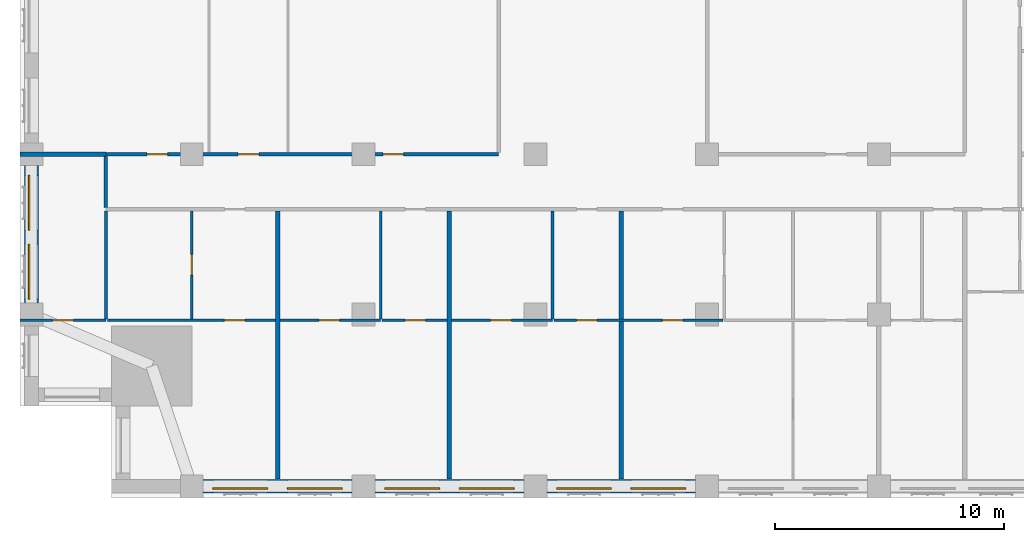
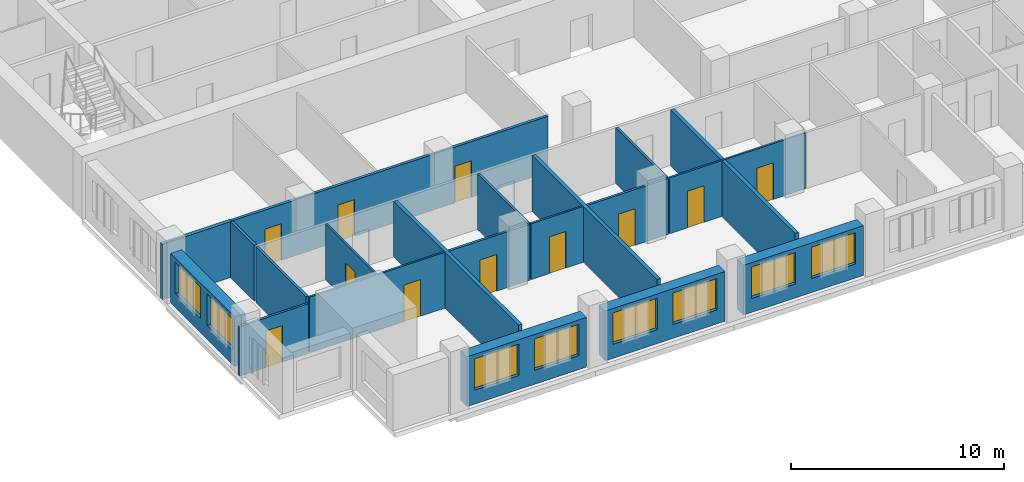
# One storey, part 4 of 14: 20 walls, 11 doors, 8 windows, 19 openings.
"""IFC4 building model written with IfcOpenShell, lengths in metres."""

from ifc_helpers import new_model, si_unit, direction, frame, frame_2d, origin, place, context, subcontext, project, spatial, rectangle, extrude, material, layer, layer_set, type_object, element, fill, save


model = new_model("IFC4")

# Units and contexts
model_context = context("Model", 3, precision=1e-05, world=origin(), true_north=direction((0.0, 1.0)))
body_context = subcontext(model_context, "Body", "Model", "MODEL_VIEW")
ifc_project = project(units=[si_unit("LENGTHUNIT", "METRE"), si_unit("AREAUNIT", "SQUARE_METRE"), si_unit("VOLUMEUNIT", "CUBIC_METRE"), si_unit("PLANEANGLEUNIT", "RADIAN"), si_unit("MASSUNIT", "GRAM", prefix="KILO")], contexts=[model_context])

# Site, building, storey
site_placement = place(None, origin())
site = spatial("IfcSite", under=ifc_project, at=site_placement, CompositionType="ELEMENT")
building_placement = place(site_placement, origin())
building = spatial("IfcBuilding", under=site, at=building_placement, Name="Tamorin Gate", CompositionType="ELEMENT")
storey_placement = place(building_placement, frame((0.0, 0.0, 162.60009765625)))
storey = spatial("IfcBuildingStorey", under=building, at=storey_placement, Name="L40", CompositionType="ELEMENT", Elevation=162.60009765625)

# Wall, openings, windows
ifc_material_1 = material(Name="Precast concrete C40/50", Category="concrete")
ifc_layer_1 = layer(ifc_material_1, 0.60009765625)
ifc_layer_set_1 = layer_set([ifc_layer_1], Name="Precast concrete C40/50")
wall_type_1 = type_object("IfcWallType", Name="Board-marked concrete facade panel 600", PredefinedType="SOLIDWALL", material=ifc_layer_set_1)
wall_1_placement = place(storey_placement, frame((38.0, 38.0, 0.0), z_axis=(0.0, 0.0, 1.0), x_axis=(1.0, 0.0, 0.0)))
wall_1 = element("IfcWall", 1, at=wall_1_placement, inside=storey, type_object=wall_type_1, Name="Facade panel", PredefinedType="SOLIDWALL", context=body_context, shape_type="SweptSolid", body=[
    extrude(rectangle(XDim=6.5, YDim=0.60009765625, at=frame_2d((3.25, 0.0))), origin(), (0.0, 0.0, 1.0), 2.849853515625),
])
opening_1_placement = place(wall_1_placement, frame((0.425048828125, 0.0, 0.800048828125)))
opening_1 = element("IfcOpeningElement", 2, at=opening_1_placement, cuts=wall_1, Name="Opening WN1", PredefinedType="OPENING", context=body_context, shape_type="SweptSolid", body=[
    extrude(rectangle(XDim=2.39990234375, YDim=1.800048828125, at=frame_2d((1.199951171875, 0.89990234375))), frame((0.0, 0.31005859375, 0.0), z_axis=(0.0, -1.0, 0.0), x_axis=(1.0, 0.0, 0.0)), (0.0, 0.0, 1.0), 0.6201171875),
])
opening_2_placement = place(wall_1_placement, frame((3.675048828125, 0.0, 0.800048828125)))
opening_2 = element("IfcOpeningElement", 3, at=opening_2_placement, cuts=wall_1, Name="Opening WN1", PredefinedType="OPENING", context=body_context, shape_type="SweptSolid", body=[
    extrude(rectangle(XDim=2.39990234375, YDim=1.800048828125, at=frame_2d((1.199951171875, 0.89990234375))), frame((0.0, 0.31005859375, 0.0), z_axis=(0.0, -1.0, 0.0), x_axis=(1.0, 0.0, 0.0)), (0.0, 0.0, 1.0), 0.6201171875),
])
ifc_material_2 = material(Name="Clear glass in aluminium frame", Category="aluminium")
window_type = type_object("IfcWindowType", Name="Deep-set window 2400x1800", PartitioningType="SINGLE_PANEL", PredefinedType="WINDOW", material=ifc_material_2)
window_1_placement = place(opening_1_placement, origin())
window_1 = element("IfcWindow", 4, at=window_1_placement, inside=storey, type_object=window_type, Name="Deep-set window", OverallHeight=1.800048828125, OverallWidth=2.39990234375, PartitioningType="SINGLE_PANEL", PredefinedType="WINDOW", context=body_context, shape_type="SweptSolid", body=[
    extrude(rectangle(XDim=2.39990234375, YDim=1.800048828125, at=frame_2d((1.199951171875, 0.89990234375))), frame((0.0, -0.070068359375, 0.0), z_axis=(0.0, -1.0, 0.0), x_axis=(1.0, 0.0, 0.0)), (0.0, 0.0, 1.0), 0.06005859375),
])
fill(opening_1, window_1)
window_2_placement = place(opening_2_placement, origin())
window_2 = element("IfcWindow", 5, at=window_2_placement, inside=storey, type_object=window_type, Name="Deep-set window", OverallHeight=1.800048828125, OverallWidth=2.39990234375, PartitioningType="SINGLE_PANEL", PredefinedType="WINDOW", context=body_context, shape_type="SweptSolid", body=[
    extrude(rectangle(XDim=2.39990234375, YDim=1.800048828125, at=frame_2d((1.199951171875, 0.89990234375))), frame((0.0, -0.070068359375, 0.0), z_axis=(0.0, -1.0, 0.0), x_axis=(1.0, 0.0, 0.0)), (0.0, 0.0, 1.0), 0.06005859375),
])
fill(opening_2, window_2)

wall_2_placement = place(storey_placement, frame((45.5, 38.0, 0.0), z_axis=(0.0, 0.0, 1.0), x_axis=(1.0, 0.0, 0.0)))
wall_2 = element("IfcWall", 6, at=wall_2_placement, inside=storey, type_object=wall_type_1, Name="Facade panel", PredefinedType="SOLIDWALL", context=body_context, shape_type="SweptSolid", body=[
    extrude(rectangle(XDim=6.5, YDim=0.60009765625, at=frame_2d((3.25, 0.0))), origin(), (0.0, 0.0, 1.0), 2.849853515625),
])
opening_3_placement = place(wall_2_placement, frame((0.425048828125, 0.0, 0.800048828125)))
opening_3 = element("IfcOpeningElement", 7, at=opening_3_placement, cuts=wall_2, Name="Opening WN1", PredefinedType="OPENING", context=body_context, shape_type="SweptSolid", body=[
    extrude(rectangle(XDim=2.39990234375, YDim=1.800048828125, at=frame_2d((1.199951171875, 0.89990234375))), frame((0.0, 0.31005859375, 0.0), z_axis=(0.0, -1.0, 0.0), x_axis=(1.0, 0.0, 0.0)), (0.0, 0.0, 1.0), 0.6201171875),
])
opening_4_placement = place(wall_2_placement, frame((3.675048828125, 0.0, 0.800048828125)))
opening_4 = element("IfcOpeningElement", 8, at=opening_4_placement, cuts=wall_2, Name="Opening WN1", PredefinedType="OPENING", context=body_context, shape_type="SweptSolid", body=[
    extrude(rectangle(XDim=2.39990234375, YDim=1.800048828125, at=frame_2d((1.199951171875, 0.89990234375))), frame((0.0, 0.31005859375, 0.0), z_axis=(0.0, -1.0, 0.0), x_axis=(1.0, 0.0, 0.0)), (0.0, 0.0, 1.0), 0.6201171875),
])
window_3_placement = place(opening_3_placement, origin())
window_3 = element("IfcWindow", 9, at=window_3_placement, inside=storey, type_object=window_type, Name="Deep-set window", OverallHeight=1.800048828125, OverallWidth=2.39990234375, PartitioningType="SINGLE_PANEL", PredefinedType="WINDOW", context=body_context, shape_type="SweptSolid", body=[
    extrude(rectangle(XDim=2.39990234375, YDim=1.800048828125, at=frame_2d((1.199951171875, 0.89990234375))), frame((0.0, -0.070068359375, 0.0), z_axis=(0.0, -1.0, 0.0), x_axis=(1.0, 0.0, 0.0)), (0.0, 0.0, 1.0), 0.06005859375),
])
fill(opening_3, window_3)
window_4_placement = place(opening_4_placement, origin())
window_4 = element("IfcWindow", 10, at=window_4_placement, inside=storey, type_object=window_type, Name="Deep-set window", OverallHeight=1.800048828125, OverallWidth=2.39990234375, PartitioningType="SINGLE_PANEL", PredefinedType="WINDOW", context=body_context, shape_type="SweptSolid", body=[
    extrude(rectangle(XDim=2.39990234375, YDim=1.800048828125, at=frame_2d((1.199951171875, 0.89990234375))), frame((0.0, -0.070068359375, 0.0), z_axis=(0.0, -1.0, 0.0), x_axis=(1.0, 0.0, 0.0)), (0.0, 0.0, 1.0), 0.06005859375),
])
fill(opening_4, window_4)

wall_3_placement = place(storey_placement, frame((53.0, 38.0, 0.0), z_axis=(0.0, 0.0, 1.0), x_axis=(1.0, 0.0, 0.0)))
wall_3 = element("IfcWall", 11, at=wall_3_placement, inside=storey, type_object=wall_type_1, Name="Facade panel", PredefinedType="SOLIDWALL", context=body_context, shape_type="SweptSolid", body=[
    extrude(rectangle(XDim=6.5, YDim=0.60009765625, at=frame_2d((3.25, 0.0))), origin(), (0.0, 0.0, 1.0), 2.849853515625),
])
opening_5_placement = place(wall_3_placement, frame((0.425048828125, 0.0, 0.800048828125)))
opening_5 = element("IfcOpeningElement", 12, at=opening_5_placement, cuts=wall_3, Name="Opening WN1", PredefinedType="OPENING", context=body_context, shape_type="SweptSolid", body=[
    extrude(rectangle(XDim=2.39990234375, YDim=1.800048828125, at=frame_2d((1.199951171875, 0.89990234375))), frame((0.0, 0.31005859375, 0.0), z_axis=(0.0, -1.0, 0.0), x_axis=(1.0, 0.0, 0.0)), (0.0, 0.0, 1.0), 0.6201171875),
])
opening_6_placement = place(wall_3_placement, frame((3.675048828125, 0.0, 0.800048828125)))
opening_6 = element("IfcOpeningElement", 13, at=opening_6_placement, cuts=wall_3, Name="Opening WN1", PredefinedType="OPENING", context=body_context, shape_type="SweptSolid", body=[
    extrude(rectangle(XDim=2.39990234375, YDim=1.800048828125, at=frame_2d((1.199951171875, 0.89990234375))), frame((0.0, 0.31005859375, 0.0), z_axis=(0.0, -1.0, 0.0), x_axis=(1.0, 0.0, 0.0)), (0.0, 0.0, 1.0), 0.6201171875),
])
window_5_placement = place(opening_5_placement, origin())
window_5 = element("IfcWindow", 14, at=window_5_placement, inside=storey, type_object=window_type, Name="Deep-set window", OverallHeight=1.800048828125, OverallWidth=2.39990234375, PartitioningType="SINGLE_PANEL", PredefinedType="WINDOW", context=body_context, shape_type="SweptSolid", body=[
    extrude(rectangle(XDim=2.39990234375, YDim=1.800048828125, at=frame_2d((1.199951171875, 0.89990234375))), frame((0.0, -0.070068359375, 0.0), z_axis=(0.0, -1.0, 0.0), x_axis=(1.0, 0.0, 0.0)), (0.0, 0.0, 1.0), 0.06005859375),
])
fill(opening_5, window_5)
window_6_placement = place(opening_6_placement, origin())
window_6 = element("IfcWindow", 15, at=window_6_placement, inside=storey, type_object=window_type, Name="Deep-set window", OverallHeight=1.800048828125, OverallWidth=2.39990234375, PartitioningType="SINGLE_PANEL", PredefinedType="WINDOW", context=body_context, shape_type="SweptSolid", body=[
    extrude(rectangle(XDim=2.39990234375, YDim=1.800048828125, at=frame_2d((1.199951171875, 0.89990234375))), frame((0.0, -0.070068359375, 0.0), z_axis=(0.0, -1.0, 0.0), x_axis=(1.0, 0.0, 0.0)), (0.0, 0.0, 1.0), 0.06005859375),
])
fill(opening_6, window_6)

wall_4_placement = place(storey_placement, frame((30.5, 52.0, 0.0), z_axis=(0.0, 0.0, 1.0), x_axis=(0.0, -1.0, 0.0)))
wall_4 = element("IfcWall", 16, at=wall_4_placement, inside=storey, type_object=wall_type_1, Name="Facade panel", PredefinedType="SOLIDWALL", context=body_context, shape_type="SweptSolid", body=[
    extrude(rectangle(XDim=6.0, YDim=0.60009765625, at=frame_2d((3.0, 0.0))), origin(), (0.0, 0.0, 1.0), 2.849853515625),
])
opening_7_placement = place(wall_4_placement, frame((3.425048828125, 0.0, 0.800048828125)))
opening_7 = element("IfcOpeningElement", 17, at=opening_7_placement, cuts=wall_4, Name="Opening WN1", PredefinedType="OPENING", context=body_context, shape_type="SweptSolid", body=[
    extrude(rectangle(XDim=2.39990234375, YDim=1.800048828125, at=frame_2d((1.199951171875, 0.89990234375))), frame((0.0, 0.31005859375, 0.0), z_axis=(0.0, -1.0, 0.0), x_axis=(1.0, 0.0, 0.0)), (0.0, 0.0, 1.0), 0.6201171875),
])
opening_8_placement = place(wall_4_placement, frame((0.425048828125, 0.0, 0.800048828125)))
opening_8 = element("IfcOpeningElement", 18, at=opening_8_placement, cuts=wall_4, Name="Opening WN1", PredefinedType="OPENING", context=body_context, shape_type="SweptSolid", body=[
    extrude(rectangle(XDim=2.39990234375, YDim=1.800048828125, at=frame_2d((1.199951171875, 0.89990234375))), frame((0.0, 0.31005859375, 0.0), z_axis=(0.0, -1.0, 0.0), x_axis=(1.0, 0.0, 0.0)), (0.0, 0.0, 1.0), 0.6201171875),
])
window_7_placement = place(opening_7_placement, origin())
window_7 = element("IfcWindow", 19, at=window_7_placement, inside=storey, type_object=window_type, Name="Deep-set window", OverallHeight=1.800048828125, OverallWidth=2.39990234375, PartitioningType="SINGLE_PANEL", PredefinedType="WINDOW", context=body_context, shape_type="SweptSolid", body=[
    extrude(rectangle(XDim=2.39990234375, YDim=1.800048828125, at=frame_2d((1.199951171875, 0.89990234375))), frame((0.0, -0.070068359375, 0.0), z_axis=(0.0, -1.0, 0.0), x_axis=(1.0, 0.0, 0.0)), (0.0, 0.0, 1.0), 0.06005859375),
])
fill(opening_7, window_7)
window_8_placement = place(opening_8_placement, origin())
window_8 = element("IfcWindow", 20, at=window_8_placement, inside=storey, type_object=window_type, Name="Deep-set window", OverallHeight=1.800048828125, OverallWidth=2.39990234375, PartitioningType="SINGLE_PANEL", PredefinedType="WINDOW", context=body_context, shape_type="SweptSolid", body=[
    extrude(rectangle(XDim=2.39990234375, YDim=1.800048828125, at=frame_2d((1.199951171875, 0.89990234375))), frame((0.0, -0.070068359375, 0.0), z_axis=(0.0, -1.0, 0.0), x_axis=(1.0, 0.0, 0.0)), (0.0, 0.0, 1.0), 0.06005859375),
])
fill(opening_8, window_8)

# Wall, openings, doors
ifc_material_3 = material(Name="Gypsum board partition")
ifc_layer_2 = layer(ifc_material_3, 0.14990234375)
ifc_layer_set_2 = layer_set([ifc_layer_2], Name="Corridor wall 150")
wall_type_2 = type_object("IfcWallType", Name="Corridor wall 150", PredefinedType="PARTITIONING", material=ifc_layer_set_2)
wall_5_placement = place(storey_placement, frame((33.75, 52.5, 0.0), z_axis=(0.0, 0.0, 1.0), x_axis=(1.0, 0.0, 0.0)))
wall_5 = element("IfcWall", 21, at=wall_5_placement, inside=storey, type_object=wall_type_2, Name="Corridor wall 150", PredefinedType="PARTITIONING", context=body_context, shape_type="SweptSolid", body=[
    extrude(rectangle(XDim=17.14990234375, YDim=0.14990234375, at=frame_2d((8.574951171875, 0.0))), origin(), (0.0, 0.0, 1.0), 3.199951171875),
])
opening_9_placement = place(wall_5_placement, frame((1.800048828125, 0.0, 0.0)))
opening_9 = element("IfcOpeningElement", 22, at=opening_9_placement, cuts=wall_5, Name="Opening DS2066", PredefinedType="OPENING", context=body_context, shape_type="SweptSolid", body=[
    extrude(rectangle(XDim=0.89990234375, YDim=2.10009765625, at=frame_2d((0.449951171875, 1.050048828125))), frame((0.0, 0.0849609375, 0.0), z_axis=(0.0, -1.0, 0.0), x_axis=(1.0, 0.0, 0.0)), (0.0, 0.0, 1.0), 0.169921875),
])
opening_10_placement = place(wall_5_placement, frame((5.77490234375, 0.0, 0.0)))
opening_10 = element("IfcOpeningElement", 23, at=opening_10_placement, cuts=wall_5, Name="Opening DS2067", PredefinedType="OPENING", context=body_context, shape_type="SweptSolid", body=[
    extrude(rectangle(XDim=0.89990234375, YDim=2.10009765625, at=frame_2d((0.449951171875, 1.050048828125))), frame((0.0, 0.0849609375, 0.0), z_axis=(0.0, -1.0, 0.0), x_axis=(1.0, 0.0, 0.0)), (0.0, 0.0, 1.0), 0.169921875),
])
opening_11_placement = place(wall_5_placement, frame((12.10009765625, 0.0, 0.0)))
opening_11 = element("IfcOpeningElement", 24, at=opening_11_placement, cuts=wall_5, Name="Opening DS2068", PredefinedType="OPENING", context=body_context, shape_type="SweptSolid", body=[
    extrude(rectangle(XDim=0.89990234375, YDim=2.10009765625, at=frame_2d((0.449951171875, 1.050048828125))), frame((0.0, 0.0849609375, 0.0), z_axis=(0.0, -1.0, 0.0), x_axis=(1.0, 0.0, 0.0)), (0.0, 0.0, 1.0), 0.169921875),
])
ifc_material_4 = material(Name="Timber door leaf", Category="wood")
door_type_1 = type_object("IfcDoorType", Name="Door 900 x 2100 FD30S", OperationType="NOTDEFINED", PredefinedType="DOOR", material=ifc_material_4)
door_1_placement = place(opening_9_placement, origin())
door_1 = element("IfcDoor", 25, at=door_1_placement, inside=storey, type_object=door_type_1, Name="Door DS2066", OperationType="SINGLE_SWING_LEFT", OverallHeight=2.10009765625, OverallWidth=0.89990234375, PredefinedType="DOOR", context=body_context, shape_type="SweptSolid", body=[
    extrude(rectangle(XDim=0.89990234375, YDim=2.10009765625, at=frame_2d((0.449951171875, 1.050048828125))), frame((0.0, 0.02490234375, 0.0), z_axis=(0.0, -1.0, 0.0), x_axis=(1.0, 0.0, 0.0)), (0.0, 0.0, 1.0), 0.050048828125),
])
fill(opening_9, door_1)
door_2_placement = place(opening_10_placement, origin())
door_2 = element("IfcDoor", 26, at=door_2_placement, inside=storey, type_object=door_type_1, Name="Door DS2067", OperationType="SINGLE_SWING_LEFT", OverallHeight=2.10009765625, OverallWidth=0.89990234375, PredefinedType="DOOR", context=body_context, shape_type="SweptSolid", body=[
    extrude(rectangle(XDim=0.89990234375, YDim=2.10009765625, at=frame_2d((0.449951171875, 1.050048828125))), frame((0.0, 0.02490234375, 0.0), z_axis=(0.0, -1.0, 0.0), x_axis=(1.0, 0.0, 0.0)), (0.0, 0.0, 1.0), 0.050048828125),
])
fill(opening_10, door_2)
door_3_placement = place(opening_11_placement, origin())
door_3 = element("IfcDoor", 27, at=door_3_placement, inside=storey, type_object=door_type_1, Name="Door DS2068", OperationType="SINGLE_SWING_LEFT", OverallHeight=2.10009765625, OverallWidth=0.89990234375, PredefinedType="DOOR", context=body_context, shape_type="SweptSolid", body=[
    extrude(rectangle(XDim=0.89990234375, YDim=2.10009765625, at=frame_2d((0.449951171875, 1.050048828125))), frame((0.0, 0.02490234375, 0.0), z_axis=(0.0, -1.0, 0.0), x_axis=(1.0, 0.0, 0.0)), (0.0, 0.0, 1.0), 0.050048828125),
])
fill(opening_11, door_3)

# Walls
wall_6_placement = place(storey_placement, frame((33.75, 50.175048828125, 0.0), z_axis=(0.0, 0.0, 1.0), x_axis=(0.0, 1.0, 0.0)))
element("IfcWall", 28, at=wall_6_placement, inside=storey, type_object=wall_type_2, Name="Corridor wall 150", PredefinedType="PARTITIONING", context=body_context, shape_type="SweptSolid", body=[
    extrude(rectangle(XDim=2.224853515625, YDim=0.14990234375, at=frame_2d((1.1123046875, 0.0))), origin(), (0.0, 0.0, 1.0), 3.199951171875),
])
ifc_layer_3 = layer(ifc_material_3, 0.199951171875)
ifc_layer_set_3 = layer_set([ifc_layer_3], Name="Demising wall 200")
wall_type_3 = type_object("IfcWallType", Name="Demising wall 200", PredefinedType="PARTITIONING", material=ifc_layer_set_3)
wall_7_placement = place(storey_placement, frame((30.0, 52.5, 0.0), z_axis=(0.0, 0.0, 1.0), x_axis=(1.0, 0.0, 0.0)))
element("IfcWall", 29, at=wall_7_placement, inside=storey, type_object=wall_type_3, Name="Demising wall 200", PredefinedType="PARTITIONING", context=body_context, shape_type="SweptSolid", body=[
    extrude(rectangle(XDim=3.75, YDim=0.199951171875, at=frame_2d((1.875, 0.0))), origin(), (0.0, 0.0, 1.0), 3.199951171875),
])
for number, where, z_axis, x_axis, name in (
    (30, (41.25, 38.31005859375, 0.0), (0.0, 0.0, 1.0), (0.0, 1.0, 0.0), "Demising wall 200"),
    (31, (48.75, 38.31005859375, 0.0), (0.0, 0.0, 1.0), (0.0, 1.0, 0.0), "Demising wall 200"),
    (32, (56.25, 38.31005859375, 0.0), (0.0, 0.0, 1.0), (0.0, 1.0, 0.0), "Demising wall 200"),
):
    element("IfcWall", number, at=place(storey_placement, frame(where, z_axis=z_axis, x_axis=x_axis)), inside=storey, type_object=wall_type_3, Name=name, PredefinedType="PARTITIONING", context=body_context, shape_type="SweptSolid", body=[
        extrude(rectangle(XDim=11.71484375, YDim=0.199951171875, at=frame_2d((5.857421875, 0.0))), origin(), (0.0, 0.0, 1.0), 3.199951171875),
    ])

# Wall, opening, door
ifc_layer_4 = layer(ifc_material_3, 0.10009765625)
ifc_layer_set_4 = layer_set([ifc_layer_4], Name="Room partition 100")
wall_type_4 = type_object("IfcWallType", Name="Room partition 100", PredefinedType="PARTITIONING", material=ifc_layer_set_4)
wall_8_placement = place(storey_placement, frame((33.8125, 45.25, 0.0), z_axis=(0.0, 0.0, 1.0), x_axis=(1.0, 0.0, 0.0)))
wall_8 = element("IfcWall", 33, at=wall_8_placement, inside=storey, type_object=wall_type_4, Name="Room partition 100", PredefinedType="PARTITIONING", context=body_context, shape_type="SweptSolid", body=[
    extrude(rectangle(XDim=7.33740234375, YDim=0.10009765625, at=frame_2d((3.668701171875, 0.0))), origin(), (0.0, 0.0, 1.0), 3.199951171875),
])
opening_12_placement = place(wall_8_placement, frame((5.112548828125, 0.0, 0.0)))
opening_12 = element("IfcOpeningElement", 34, at=opening_12_placement, cuts=wall_8, Name="Opening DS2004", PredefinedType="OPENING", context=body_context, shape_type="SweptSolid", body=[
    extrude(rectangle(XDim=0.89990234375, YDim=2.10009765625, at=frame_2d((0.449951171875, 1.050048828125))), frame((0.0, 0.06005859375, 0.0), z_axis=(0.0, -1.0, 0.0), x_axis=(1.0, 0.0, 0.0)), (0.0, 0.0, 1.0), 0.1201171875),
])
door_type_2 = type_object("IfcDoorType", Name="Door 900 x 2100", OperationType="NOTDEFINED", PredefinedType="DOOR", material=ifc_material_4)
door_4_placement = place(opening_12_placement, origin())
door_4 = element("IfcDoor", 35, at=door_4_placement, inside=storey, type_object=door_type_2, Name="Door DS2004", OperationType="SINGLE_SWING_LEFT", OverallHeight=2.10009765625, OverallWidth=0.89990234375, PredefinedType="DOOR", context=body_context, shape_type="SweptSolid", body=[
    extrude(rectangle(XDim=0.89990234375, YDim=2.10009765625, at=frame_2d((0.449951171875, 1.050048828125))), frame((0.0, 0.02490234375, 0.0), z_axis=(0.0, -1.0, 0.0), x_axis=(1.0, 0.0, 0.0)), (0.0, 0.0, 1.0), 0.050048828125),
])
fill(opening_12, door_4)

wall_9_placement = place(storey_placement, frame((45.8125, 45.25, 0.0), z_axis=(0.0, 0.0, 1.0), x_axis=(1.0, 0.0, 0.0)))
wall_9 = element("IfcWall", 36, at=wall_9_placement, inside=storey, type_object=wall_type_4, Name="Room partition 100", PredefinedType="PARTITIONING", context=body_context, shape_type="SweptSolid", body=[
    extrude(rectangle(XDim=2.83740234375, YDim=0.10009765625, at=frame_2d((1.418701171875, 0.0))), origin(), (0.0, 0.0, 1.0), 3.199951171875),
])
opening_13_placement = place(wall_9_placement, frame((0.987548828125, 0.0, 0.0)))
opening_13 = element("IfcOpeningElement", 37, at=opening_13_placement, cuts=wall_9, Name="Opening DS2007", PredefinedType="OPENING", context=body_context, shape_type="SweptSolid", body=[
    extrude(rectangle(XDim=0.89990234375, YDim=2.10009765625, at=frame_2d((0.449951171875, 1.050048828125))), frame((0.0, 0.06005859375, 0.0), z_axis=(0.0, -1.0, 0.0), x_axis=(1.0, 0.0, 0.0)), (0.0, 0.0, 1.0), 0.1201171875),
])
door_5_placement = place(opening_13_placement, origin())
door_5 = element("IfcDoor", 38, at=door_5_placement, inside=storey, type_object=door_type_2, Name="Door DS2007", OperationType="SINGLE_SWING_LEFT", OverallHeight=2.10009765625, OverallWidth=0.89990234375, PredefinedType="DOOR", context=body_context, shape_type="SweptSolid", body=[
    extrude(rectangle(XDim=0.89990234375, YDim=2.10009765625, at=frame_2d((0.449951171875, 1.050048828125))), frame((0.0, 0.02490234375, 0.0), z_axis=(0.0, -1.0, 0.0), x_axis=(1.0, 0.0, 0.0)), (0.0, 0.0, 1.0), 0.050048828125),
])
fill(opening_13, door_5)

# Wall, openings, doors
wall_10_placement = place(storey_placement, frame((53.3125, 45.25, 0.0), z_axis=(0.0, 0.0, 1.0), x_axis=(1.0, 0.0, 0.0)))
wall_10 = element("IfcWall", 39, at=wall_10_placement, inside=storey, type_object=wall_type_4, Name="Room partition 100", PredefinedType="PARTITIONING", context=body_context, shape_type="SweptSolid", body=[
    extrude(rectangle(XDim=7.375, YDim=0.10009765625, at=frame_2d((3.6875, 0.0))), origin(), (0.0, 0.0, 1.0), 3.199951171875),
])
opening_14_placement = place(wall_10_placement, frame((0.987548828125, 0.0, 0.0)))
opening_14 = element("IfcOpeningElement", 40, at=opening_14_placement, cuts=wall_10, Name="Opening DS2010", PredefinedType="OPENING", context=body_context, shape_type="SweptSolid", body=[
    extrude(rectangle(XDim=0.89990234375, YDim=2.10009765625, at=frame_2d((0.449951171875, 1.050048828125))), frame((0.0, 0.06005859375, 0.0), z_axis=(0.0, -1.0, 0.0), x_axis=(1.0, 0.0, 0.0)), (0.0, 0.0, 1.0), 0.1201171875),
])
opening_15_placement = place(wall_10_placement, frame((4.737548828125, 0.0, 0.0)))
opening_15 = element("IfcOpeningElement", 41, at=opening_15_placement, cuts=wall_10, Name="Opening DS2012", PredefinedType="OPENING", context=body_context, shape_type="SweptSolid", body=[
    extrude(rectangle(XDim=0.89990234375, YDim=2.10009765625, at=frame_2d((0.449951171875, 1.050048828125))), frame((0.0, 0.06005859375, 0.0), z_axis=(0.0, -1.0, 0.0), x_axis=(1.0, 0.0, 0.0)), (0.0, 0.0, 1.0), 0.1201171875),
])
door_6_placement = place(opening_14_placement, origin())
door_6 = element("IfcDoor", 42, at=door_6_placement, inside=storey, type_object=door_type_2, Name="Door DS2010", OperationType="SINGLE_SWING_LEFT", OverallHeight=2.10009765625, OverallWidth=0.89990234375, PredefinedType="DOOR", context=body_context, shape_type="SweptSolid", body=[
    extrude(rectangle(XDim=0.89990234375, YDim=2.10009765625, at=frame_2d((0.449951171875, 1.050048828125))), frame((0.0, 0.02490234375, 0.0), z_axis=(0.0, -1.0, 0.0), x_axis=(1.0, 0.0, 0.0)), (0.0, 0.0, 1.0), 0.050048828125),
])
fill(opening_14, door_6)
door_7_placement = place(opening_15_placement, origin())
door_7 = element("IfcDoor", 43, at=door_7_placement, inside=storey, type_object=door_type_2, Name="Door DS2012", OperationType="SINGLE_SWING_LEFT", OverallHeight=2.10009765625, OverallWidth=0.89990234375, PredefinedType="DOOR", context=body_context, shape_type="SweptSolid", body=[
    extrude(rectangle(XDim=0.89990234375, YDim=2.10009765625, at=frame_2d((0.449951171875, 1.050048828125))), frame((0.0, 0.02490234375, 0.0), z_axis=(0.0, -1.0, 0.0), x_axis=(1.0, 0.0, 0.0)), (0.0, 0.0, 1.0), 0.050048828125),
])
fill(opening_15, door_7)

# Wall, opening, door
wall_11_placement = place(storey_placement, frame((37.5, 45.300048828125, 0.0), z_axis=(0.0, 0.0, 1.0), x_axis=(0.0, 1.0, 0.0)))
wall_11 = element("IfcWall", 44, at=wall_11_placement, inside=storey, type_object=wall_type_4, Name="Room partition 100", PredefinedType="PARTITIONING", context=body_context, shape_type="SweptSolid", body=[
    extrude(rectangle(XDim=4.724853515625, YDim=0.10009765625, at=frame_2d((2.3623046875, 0.0))), origin(), (0.0, 0.0, 1.0), 3.199951171875),
])
opening_16_placement = place(wall_11_placement, frame((1.925048828125, 0.0, 0.0)))
opening_16 = element("IfcOpeningElement", 45, at=opening_16_placement, cuts=wall_11, Name="Opening DS2002", PredefinedType="OPENING", context=body_context, shape_type="SweptSolid", body=[
    extrude(rectangle(XDim=0.89990234375, YDim=2.10009765625, at=frame_2d((0.449951171875, 1.050048828125))), frame((0.0, 0.06005859375, 0.0), z_axis=(0.0, -1.0, 0.0), x_axis=(1.0, 0.0, 0.0)), (0.0, 0.0, 1.0), 0.1201171875),
])
door_8_placement = place(opening_16_placement, origin())
door_8 = element("IfcDoor", 46, at=door_8_placement, inside=storey, type_object=door_type_2, Name="Door DS2002", OperationType="SINGLE_SWING_RIGHT", OverallHeight=2.10009765625, OverallWidth=0.89990234375, PredefinedType="DOOR", context=body_context, shape_type="SweptSolid", body=[
    extrude(rectangle(XDim=0.89990234375, YDim=2.10009765625, at=frame_2d((0.449951171875, 1.050048828125))), frame((0.0, 0.02490234375, 0.0), z_axis=(0.0, -1.0, 0.0), x_axis=(1.0, 0.0, 0.0)), (0.0, 0.0, 1.0), 0.050048828125),
])
fill(opening_16, door_8)

ifc_layer_5 = layer(ifc_material_3, 0.125)
ifc_layer_set_5 = layer_set([ifc_layer_5], Name="Wet wall 125")
wall_type_5 = type_object("IfcWallType", Name="Wet wall 125", PredefinedType="PARTITIONING", material=ifc_layer_set_5)
wall_12_placement = place(storey_placement, frame((30.0, 45.25, 0.0), z_axis=(0.0, 0.0, 1.0), x_axis=(1.0, 0.0, 0.0)))
wall_12 = element("IfcWall", 47, at=wall_12_placement, inside=storey, type_object=wall_type_5, Name="Wet wall 125", PredefinedType="PARTITIONING", context=body_context, shape_type="SweptSolid", body=[
    extrude(rectangle(XDim=3.75, YDim=0.125, at=frame_2d((1.875, 0.0))), origin(), (0.0, 0.0, 1.0), 2.849853515625),
])
opening_17_placement = place(wall_12_placement, frame((1.425048828125, 0.0, 0.0)))
opening_17 = element("IfcOpeningElement", 48, at=opening_17_placement, cuts=wall_12, Name="Opening DS2001", PredefinedType="OPENING", context=body_context, shape_type="SweptSolid", body=[
    extrude(rectangle(XDim=0.89990234375, YDim=2.10009765625, at=frame_2d((0.449951171875, 1.050048828125))), frame((0.0, 0.072509765625, 0.0), z_axis=(0.0, -1.0, 0.0), x_axis=(1.0, 0.0, 0.0)), (0.0, 0.0, 1.0), 0.14501953125),
])
door_9_placement = place(opening_17_placement, origin())
door_9 = element("IfcDoor", 49, at=door_9_placement, inside=storey, type_object=door_type_2, Name="Door DS2001", OperationType="SINGLE_SWING_LEFT", OverallHeight=2.10009765625, OverallWidth=0.89990234375, PredefinedType="DOOR", context=body_context, shape_type="SweptSolid", body=[
    extrude(rectangle(XDim=0.89990234375, YDim=2.10009765625, at=frame_2d((0.449951171875, 1.050048828125))), frame((0.0, 0.02490234375, 0.0), z_axis=(0.0, -1.0, 0.0), x_axis=(1.0, 0.0, 0.0)), (0.0, 0.0, 1.0), 0.050048828125),
])
fill(opening_17, door_9)

wall_13_placement = place(storey_placement, frame((41.35009765625, 45.25, 0.0), z_axis=(0.0, 0.0, 1.0), x_axis=(1.0, 0.0, 0.0)))
wall_13 = element("IfcWall", 50, at=wall_13_placement, inside=storey, type_object=wall_type_5, Name="Wet wall 125", PredefinedType="PARTITIONING", context=body_context, shape_type="SweptSolid", body=[
    extrude(rectangle(XDim=4.39990234375, YDim=0.125, at=frame_2d((2.199951171875, 0.0))), origin(), (0.0, 0.0, 1.0), 3.199951171875),
])
opening_18_placement = place(wall_13_placement, frame((1.699951171875, 0.0, 0.0)))
opening_18 = element("IfcOpeningElement", 51, at=opening_18_placement, cuts=wall_13, Name="Opening DS2005", PredefinedType="OPENING", context=body_context, shape_type="SweptSolid", body=[
    extrude(rectangle(XDim=0.89990234375, YDim=2.10009765625, at=frame_2d((0.449951171875, 1.050048828125))), frame((0.0, 0.072509765625, 0.0), z_axis=(0.0, -1.0, 0.0), x_axis=(1.0, 0.0, 0.0)), (0.0, 0.0, 1.0), 0.14501953125),
])
door_10_placement = place(opening_18_placement, origin())
door_10 = element("IfcDoor", 52, at=door_10_placement, inside=storey, type_object=door_type_2, Name="Door DS2005", OperationType="SINGLE_SWING_LEFT", OverallHeight=2.10009765625, OverallWidth=0.89990234375, PredefinedType="DOOR", context=body_context, shape_type="SweptSolid", body=[
    extrude(rectangle(XDim=0.89990234375, YDim=2.10009765625, at=frame_2d((0.449951171875, 1.050048828125))), frame((0.0, 0.02490234375, 0.0), z_axis=(0.0, -1.0, 0.0), x_axis=(1.0, 0.0, 0.0)), (0.0, 0.0, 1.0), 0.050048828125),
])
fill(opening_18, door_10)

wall_14_placement = place(storey_placement, frame((48.85009765625, 45.25, 0.0), z_axis=(0.0, 0.0, 1.0), x_axis=(1.0, 0.0, 0.0)))
wall_14 = element("IfcWall", 53, at=wall_14_placement, inside=storey, type_object=wall_type_5, Name="Wet wall 125", PredefinedType="PARTITIONING", context=body_context, shape_type="SweptSolid", body=[
    extrude(rectangle(XDim=4.39990234375, YDim=0.125, at=frame_2d((2.199951171875, 0.0))), origin(), (0.0, 0.0, 1.0), 3.199951171875),
])
opening_19_placement = place(wall_14_placement, frame((1.699951171875, 0.0, 0.0)))
opening_19 = element("IfcOpeningElement", 54, at=opening_19_placement, cuts=wall_14, Name="Opening DS2008", PredefinedType="OPENING", context=body_context, shape_type="SweptSolid", body=[
    extrude(rectangle(XDim=0.89990234375, YDim=2.10009765625, at=frame_2d((0.449951171875, 1.050048828125))), frame((0.0, 0.072509765625, 0.0), z_axis=(0.0, -1.0, 0.0), x_axis=(1.0, 0.0, 0.0)), (0.0, 0.0, 1.0), 0.14501953125),
])
door_11_placement = place(opening_19_placement, origin())
door_11 = element("IfcDoor", 55, at=door_11_placement, inside=storey, type_object=door_type_2, Name="Door DS2008", OperationType="SINGLE_SWING_LEFT", OverallHeight=2.10009765625, OverallWidth=0.89990234375, PredefinedType="DOOR", context=body_context, shape_type="SweptSolid", body=[
    extrude(rectangle(XDim=0.89990234375, YDim=2.10009765625, at=frame_2d((0.449951171875, 1.050048828125))), frame((0.0, 0.02490234375, 0.0), z_axis=(0.0, -1.0, 0.0), x_axis=(1.0, 0.0, 0.0)), (0.0, 0.0, 1.0), 0.050048828125),
])
fill(opening_19, door_11)

# Walls
for number, where, z_axis, x_axis, name in (
    (56, (33.75, 45.3125, 0.0), (0.0, 0.0, 1.0), (0.0, 1.0, 0.0), "Wet wall 125"),
    (57, (45.75, 45.3125, 0.0), (0.0, 0.0, 1.0), (0.0, 1.0, 0.0), "Wet wall 125"),
    (58, (53.25, 45.3125, 0.0), (0.0, 0.0, 1.0), (0.0, 1.0, 0.0), "Wet wall 125"),
):
    element("IfcWall", number, at=place(storey_placement, frame(where, z_axis=z_axis, x_axis=x_axis)), inside=storey, type_object=wall_type_5, Name=name, PredefinedType="PARTITIONING", context=body_context, shape_type="SweptSolid", body=[
        extrude(rectangle(XDim=4.71240234375, YDim=0.125, at=frame_2d((2.356201171875, 0.0))), origin(), (0.0, 0.0, 1.0), 3.199951171875),
    ])

save(model, "model.ifc")
